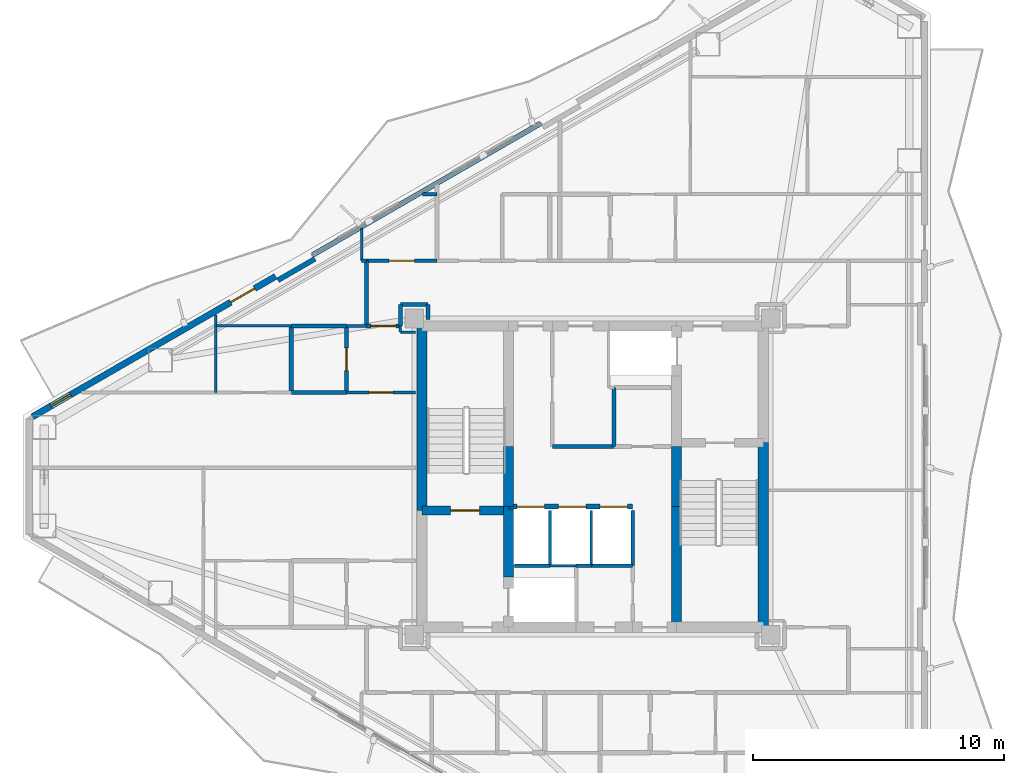
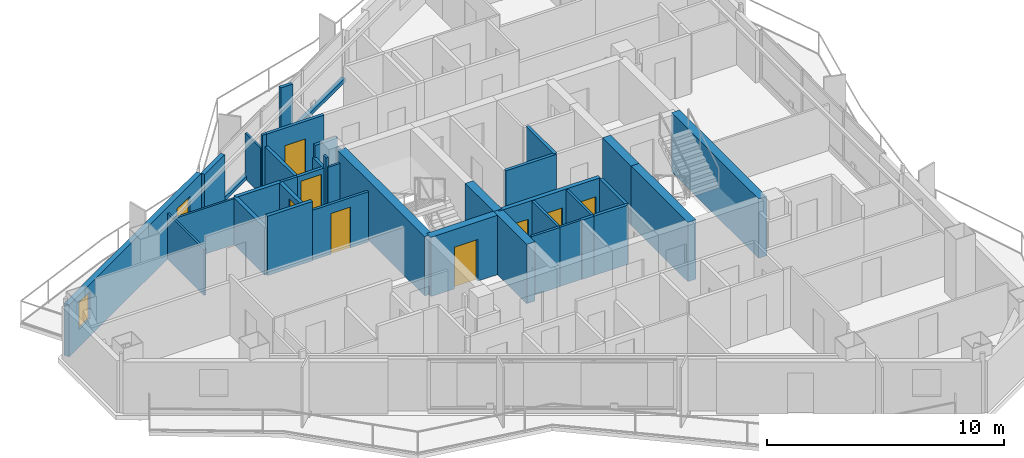
# One storey, part 14 of 19: 39 walls, 9 doors, 1 window, 10 openings.
"""IFC4 building model written with IfcOpenShell, lengths in metres."""

from ifc_helpers import new_model, si_unit, direction, frame, frame_2d, origin, place, context, subcontext, project, spatial, rectangle, extrude, material, layer, layer_set, type_object, element, fill, save


model = new_model("IFC4")

# Units and contexts
model_context = context("Model", 3, precision=1e-05, world=origin(), true_north=direction((0.0, 1.0)))
body_context = subcontext(model_context, "Body", "Model", "MODEL_VIEW")
ifc_project = project(units=[si_unit("LENGTHUNIT", "METRE"), si_unit("AREAUNIT", "SQUARE_METRE"), si_unit("VOLUMEUNIT", "CUBIC_METRE"), si_unit("PLANEANGLEUNIT", "RADIAN"), si_unit("MASSUNIT", "GRAM", prefix="KILO")], contexts=[model_context])

# Site, building, storey
site_placement = place(None, origin())
site = spatial("IfcSite", under=ifc_project, at=site_placement, CompositionType="ELEMENT")
building_placement = place(site_placement, origin())
building = spatial("IfcBuilding", under=site, at=building_placement, Name="Mersakhor Tower and Convention Hall", CompositionType="ELEMENT")
storey_placement = place(building_placement, frame((0.0, 0.0, 147.60009765625)))
storey = spatial("IfcBuildingStorey", under=building, at=storey_placement, Name="L41", CompositionType="ELEMENT", Elevation=147.60009765625)

# Wall, openings, door, window
ifc_material_1 = material(Name="Precast concrete C40/50", Category="concrete")
ifc_layer_1 = layer(ifc_material_1, 0.25)
ifc_layer_set_1 = layer_set([ifc_layer_1], Name="Precast concrete C40/50")
wall_type_1 = type_object("IfcWallType", Name="WL-EXT-250", PredefinedType="SOLIDWALL", material=ifc_layer_set_1)
wall_1_placement = place(storey_placement, frame((6.690185546875, 29.1337890625, 0.0), z_axis=(0.0, 0.0, 1.0), x_axis=(0.866027848477, 0.499995765644, 0.0)))
wall_1 = element("IfcWall", 1, at=wall_1_placement, inside=storey, type_object=wall_type_1, Name="L41 Exterior Facade Wall F1-B1", PredefinedType="SOLIDWALL", context=body_context, shape_type="SweptSolid", body=[
    extrude(rectangle(XDim=11.18603515625, YDim=0.25, at=frame_2d((5.593017578125, 0.0))), origin(), (0.0, 0.0, 1.0), 2.679931640625),
])
opening_1_placement = place(wall_1_placement, frame((9.1220703125, 0.0, 0.0)))
opening_1 = element("IfcOpeningElement", 2, at=opening_1_placement, cuts=wall_1, Name="Opening BD-02", PredefinedType="OPENING", context=body_context, shape_type="SweptSolid", body=[
    extrude(rectangle(XDim=1.10009765625, YDim=2.10009765625, at=frame_2d((0.550048828125, 1.050048828125))), frame((0.0, 0.135009765625, 0.0), z_axis=(0.0, -1.0, 0.0), x_axis=(1.0, 0.0, 0.0)), (0.0, 0.0, 1.0), 0.27001953125),
])
opening_2_placement = place(wall_1_placement, frame((0.860107421875, 0.0, 0.89990234375)))
opening_2 = element("IfcOpeningElement", 3, at=opening_2_placement, cuts=wall_1, Name="Opening W-06", PredefinedType="OPENING", context=body_context, shape_type="SweptSolid", body=[
    extrude(rectangle(XDim=0.89990234375, YDim=1.39990234375, at=frame_2d((0.449951171875, 0.699951171875))), frame((0.0, 0.135009765625, 0.0), z_axis=(0.0, -1.0, 0.0), x_axis=(1.0, 0.0, 0.0)), (0.0, 0.0, 1.0), 0.27001953125),
])
ifc_material_2 = material(Name="Thermally broken dark aluminium and safety glass", Category="aluminium")
door_type_1 = type_object("IfcDoorType", Name="DR-BAL-110x210", OperationType="NOTDEFINED", PredefinedType="DOOR", material=ifc_material_2)
door_1_placement = place(opening_1_placement, origin())
door_1 = element("IfcDoor", 4, at=door_1_placement, inside=storey, type_object=door_type_1, Name="L41 Balcony Terrace Door F1-B1", OperationType="SINGLE_SWING_RIGHT", OverallHeight=2.10009765625, OverallWidth=1.10009765625, PredefinedType="DOOR", context=body_context, shape_type="SweptSolid", body=[
    extrude(rectangle(XDim=1.10009765625, YDim=2.10009765625, at=frame_2d((0.550048828125, 1.050048828125))), frame((0.0, 0.02490234375, 0.0), z_axis=(0.0, -1.0, 0.0), x_axis=(1.0, 0.0, 0.0)), (0.0, 0.0, 1.0), 0.050048828125),
])
fill(opening_1, door_1)
ifc_material_3 = material(Name="Dark solar low-E glazed aluminium window", Category="aluminium")
window_type = type_object("IfcWindowType", Name="WN-STD-090x140", PartitioningType="SINGLE_PANEL", PredefinedType="WINDOW", material=ifc_material_3)
window_placement = place(opening_2_placement, origin())
window = element("IfcWindow", 5, at=window_placement, inside=storey, type_object=window_type, Name="L41 Bedroom Facade Window F1-B1-1", OverallHeight=1.39990234375, OverallWidth=0.89990234375, PartitioningType="SINGLE_PANEL", PredefinedType="WINDOW", context=body_context, shape_type="SweptSolid", body=[
    extrude(rectangle(XDim=0.89990234375, YDim=1.39990234375, at=frame_2d((0.449951171875, 0.699951171875))), frame((0.0, 0.030029296875, 0.0), z_axis=(0.0, -1.0, 0.0), x_axis=(1.0, 0.0, 0.0)), (0.0, 0.0, 1.0), 0.06005859375),
])
fill(opening_2, window)

# Walls
ifc_material_4 = material(Name="Precast concrete C40/50", Category="concrete")
ifc_layer_2 = layer(ifc_material_4, 0.199951171875)
ifc_layer_set_2 = layer_set([ifc_layer_2], Name="Precast concrete C40/50")
wall_type_2 = type_object("IfcWallType", Name="WL-PAR-200", PredefinedType="PARAPET", material=ifc_layer_set_2)
wall_2_placement = place(storey_placement, frame((17.849853515625, 35.57666015625, 0.0), z_axis=(0.0, 0.0, 1.0), x_axis=(0.866026619769, 0.499997893847, 0.0)))
element("IfcWall", 6, at=wall_2_placement, inside=storey, type_object=wall_type_2, Name="L41 Curtain Wall Upstand Sill F1-B2", PredefinedType="PARAPET", context=body_context, shape_type="SweptSolid", body=[
    extrude(rectangle(XDim=10.48583984375, YDim=0.199951171875, at=frame_2d((5.242919921875, 0.0))), origin(), (0.0, 0.0, 1.0), 0.199951171875),
])
wall_3_placement = place(storey_placement, frame((16.467529296875, 34.57080078125, 0.0), z_axis=(0.0, 0.0, 1.0), x_axis=(0.865989465428, 0.500062241894, 0.0)))
element("IfcWall", 7, at=wall_3_placement, inside=storey, type_object=wall_type_2, Name="L41 Column Pier Cladding Wall F1-C1", PredefinedType="PARAPET", context=body_context, shape_type="SweptSolid", body=[
    extrude(rectangle(XDim=1.699951171875, YDim=0.199951171875, at=frame_2d((0.85009765625, 0.0))), origin(), (0.0, 0.0, 1.0), 2.679931640625),
])

# Wall, opening, door
ifc_material_5 = material(Name="Moisture-resistant acoustic drywall studwork", Category="other")
ifc_layer_3 = layer(ifc_material_5, 0.175048828125)
ifc_layer_set_3 = layer_set([ifc_layer_3], Name="Moisture-resistant acoustic drywall studwork")
wall_type_3 = type_object("IfcWallType", Name="WL-PLM-175", PredefinedType="PLUMBINGWALL", material=ifc_layer_set_3)
wall_4_placement = place(storey_placement, frame((19.199951171875, 30.10009765625, 0.0), z_axis=(0.0, 0.0, 1.0), x_axis=(0.0, 1.0, 0.0)))
wall_4 = element("IfcWall", 8, at=wall_4_placement, inside=storey, type_object=wall_type_3, Name="L41 Interior Partition Wall P-060", PredefinedType="PLUMBINGWALL", context=body_context, shape_type="SweptSolid", body=[
    extrude(rectangle(XDim=2.64990234375, YDim=0.175048828125, at=frame_2d((1.324951171875, 0.0))), origin(), (0.0, 0.0, 1.0), 2.4326171875),
])
opening_3_placement = place(wall_4_placement, frame((0.875, 0.0, 0.0)))
opening_3 = element("IfcOpeningElement", 9, at=opening_3_placement, cuts=wall_4, Name="Opening WD-01", PredefinedType="OPENING", context=body_context, shape_type="SweptSolid", body=[
    extrude(rectangle(XDim=0.89990234375, YDim=2.10009765625, at=frame_2d((0.449951171875, 1.050048828125))), frame((0.0, 0.097412109375, 0.0), z_axis=(0.0, -1.0, 0.0), x_axis=(1.0, 0.0, 0.0)), (0.0, 0.0, 1.0), 0.195068359375),
])
ifc_material_6 = material(Name="Solid-core hardwood leaf in painted steel frame", Category="steel")
door_type_2 = type_object("IfcDoorType", Name="DR-INT-WET-090x210", OperationType="NOTDEFINED", PredefinedType="DOOR", material=ifc_material_6)
door_2_placement = place(opening_3_placement, origin())
door_2 = element("IfcDoor", 10, at=door_2_placement, inside=storey, type_object=door_type_2, Name="L41 L41 Flat W5 Apartment Hall to L41 Flat W5 Bathroom Door", OperationType="SINGLE_SWING_LEFT", OverallHeight=2.10009765625, OverallWidth=0.89990234375, PredefinedType="DOOR", context=body_context, shape_type="SweptSolid", body=[
    extrude(rectangle(XDim=0.89990234375, YDim=2.10009765625, at=frame_2d((0.449951171875, 1.050048828125))), frame((0.0, 0.02490234375, 0.0), z_axis=(0.0, -1.0, 0.0), x_axis=(1.0, 0.0, 0.0)), (0.0, 0.0, 1.0), 0.050048828125),
])
fill(opening_3, door_2)

# Walls
wall_5_placement = place(storey_placement, frame((17.0, 32.75, 0.0), z_axis=(0.0, 0.0, 1.0), x_axis=(1.0, 0.0, 0.0)))
element("IfcWall", 11, at=wall_5_placement, inside=storey, type_object=wall_type_3, Name="L41 Interior Partition Wall P-085", PredefinedType="PLUMBINGWALL", context=body_context, shape_type="SweptSolid", body=[
    extrude(rectangle(XDim=2.199951171875, YDim=0.175048828125, at=frame_2d((1.10009765625, 0.0))), origin(), (0.0, 0.0, 1.0), 2.4326171875),
])
wall_6_placement = place(storey_placement, frame((19.199951171875, 30.10009765625, 0.0), z_axis=(0.0, 0.0, 1.0), x_axis=(-1.0, 0.0, 0.0)))
element("IfcWall", 12, at=wall_6_placement, inside=storey, type_object=wall_type_3, Name="L41 Interior Partition Wall P-086", PredefinedType="PLUMBINGWALL", context=body_context, shape_type="SweptSolid", body=[
    extrude(rectangle(XDim=2.199951171875, YDim=0.175048828125, at=frame_2d((1.10009765625, 0.0))), origin(), (0.0, 0.0, 1.0), 3.059814453125),
])
wall_7_placement = place(storey_placement, frame((17.0, 30.10009765625, 0.0), z_axis=(0.0, 0.0, 1.0), x_axis=(0.0, 1.0, 0.0)))
element("IfcWall", 13, at=wall_7_placement, inside=storey, type_object=wall_type_3, Name="L41 Interior Partition Wall P-087", PredefinedType="PLUMBINGWALL", context=body_context, shape_type="SweptSolid", body=[
    extrude(rectangle(XDim=2.64990234375, YDim=0.175048828125, at=frame_2d((1.324951171875, 0.0))), origin(), (0.0, 0.0, 1.0), 2.4326171875),
])
ifc_material_7 = material(Name="Lightweight gypsum partition", Category="other")
ifc_layer_4 = layer(ifc_material_7, 0.10009765625)
ifc_layer_set_4 = layer_set([ifc_layer_4], Name="Lightweight gypsum partition")
wall_type_4 = type_object("IfcWallType", Name="WL-PRT-100", PredefinedType="PARTITIONING", material=ifc_layer_set_4)
wall_8_placement = place(storey_placement, frame((27.300048828125, 23.199951171875, 0.0), z_axis=(0.0, 0.0, 1.0), x_axis=(1.0, 0.0, 0.0)))
element("IfcWall", 14, at=wall_8_placement, inside=storey, type_object=wall_type_4, Name="L41 Interior Partition Wall P-002", PredefinedType="PARTITIONING", context=body_context, shape_type="SweptSolid", body=[
    extrude(rectangle(XDim=1.050048828125, YDim=0.10009765625, at=frame_2d((0.52490234375, 0.0))), origin(), (0.0, 0.0, 1.0), 3.059814453125),
])
wall_9_placement = place(storey_placement, frame((28.949951171875, 25.39990234375, 0.0), z_axis=(0.0, 0.0, 1.0), x_axis=(0.0, -1.0, 0.0)))
element("IfcWall", 15, at=wall_9_placement, inside=storey, type_object=wall_type_4, Name="L41 Interior Partition Wall P-008", PredefinedType="PARTITIONING", context=body_context, shape_type="SweptSolid", body=[
    extrude(rectangle(XDim=2.199951171875, YDim=0.10009765625, at=frame_2d((1.10009765625, 0.0))), origin(), (0.0, 0.0, 1.0), 3.059814453125),
])
wall_10_placement = place(storey_placement, frame((21.35009765625, 32.5, 0.0), z_axis=(0.0, 0.0, 1.0), x_axis=(1.0, 0.0, 0.0)))
element("IfcWall", 16, at=wall_10_placement, inside=storey, type_object=wall_type_4, Name="L41 Interior Partition Wall P-058", PredefinedType="PARTITIONING", context=body_context, shape_type="SweptSolid", body=[
    extrude(rectangle(XDim=0.599853515625, YDim=0.10009765625, at=frame_2d((0.2998046875, 0.0))), origin(), (0.0, 0.0, 1.0), 2.5849609375),
])
wall_11_placement = place(storey_placement, frame((21.35009765625, 32.75, 0.0), z_axis=(0.0, 0.0, 1.0), x_axis=(0.0, -1.0, 0.0)))
element("IfcWall", 17, at=wall_11_placement, inside=storey, type_object=wall_type_4, Name="L41 Interior Partition Wall P-062", PredefinedType="PARTITIONING", context=body_context, shape_type="SweptSolid", body=[
    extrude(rectangle(XDim=0.25, YDim=0.10009765625, at=frame_2d((0.125, 0.0))), origin(), (0.0, 0.0, 1.0), 3.059814453125),
])
wall_12_placement = place(storey_placement, frame((14.0, 32.75, 0.0), z_axis=(0.0, 0.0, 1.0), x_axis=(1.0, 0.0, 0.0)))
element("IfcWall", 18, at=wall_12_placement, inside=storey, type_object=wall_type_4, Name="L41 Interior Partition Wall P-088", PredefinedType="PARTITIONING", context=body_context, shape_type="SweptSolid", body=[
    extrude(rectangle(XDim=3.0, YDim=0.10009765625, at=frame_2d((1.5, 0.0))), origin(), (0.0, 0.0, 1.0), 2.364990234375),
])
wall_13_placement = place(storey_placement, frame((14.0, 30.10009765625, 0.0), z_axis=(0.0, 0.0, 1.0), x_axis=(0.0, 1.0, 0.0)))
element("IfcWall", 19, at=wall_13_placement, inside=storey, type_object=wall_type_4, Name="L41 Interior Partition Wall P-090", PredefinedType="PARTITIONING", context=body_context, shape_type="SweptSolid", body=[
    extrude(rectangle(XDim=3.081787109375, YDim=0.10009765625, at=frame_2d((1.541015625, 0.0))), origin(), (0.0, 0.0, 1.0), 2.364990234375),
])
wall_14_placement = place(storey_placement, frame((19.800048828125, 35.35009765625, 0.0), z_axis=(0.0, 0.0, 1.0), x_axis=(0.0, 1.0, 0.0)))
element("IfcWall", 20, at=wall_14_placement, inside=storey, type_object=wall_type_4, Name="L41 Interior Partition Wall P-112", PredefinedType="PARTITIONING", context=body_context, shape_type="SweptSolid", body=[
    extrude(rectangle(XDim=1.30859375, YDim=0.10009765625, at=frame_2d((0.654296875, 0.0))), origin(), (0.0, 0.0, 1.0), 2.364990234375),
])
ifc_material_8 = material(Name="Gypsum board acoustic partition", Category="other")
ifc_layer_5 = layer(ifc_material_8, 0.125)
ifc_layer_set_5 = layer_set([ifc_layer_5], Name="Gypsum board acoustic partition")
wall_type_5 = type_object("IfcWallType", Name="WL-PRT-125", PredefinedType="PARTITIONING", material=ifc_layer_set_5)
wall_15_placement = place(storey_placement, frame((25.89990234375, 23.199951171875, 0.0), z_axis=(0.0, 0.0, 1.0), x_axis=(1.0, 0.0, 0.0)))
element("IfcWall", 21, at=wall_15_placement, inside=storey, type_object=wall_type_5, Name="L41 Interior Partition Wall P-001", PredefinedType="PARTITIONING", context=body_context, shape_type="SweptSolid", body=[
    extrude(rectangle(XDim=1.400146484375, YDim=0.125, at=frame_2d((0.7001953125, 0.0))), origin(), (0.0, 0.0, 1.0), 3.059814453125),
])
wall_16_placement = place(storey_placement, frame((27.300048828125, 25.39990234375, 0.0), z_axis=(0.0, 0.0, 1.0), x_axis=(0.0, -1.0, 0.0)))
element("IfcWall", 22, at=wall_16_placement, inside=storey, type_object=wall_type_5, Name="L41 Interior Partition Wall P-007", PredefinedType="PARTITIONING", context=body_context, shape_type="SweptSolid", body=[
    extrude(rectangle(XDim=2.199951171875, YDim=0.125, at=frame_2d((1.10009765625, 0.0))), origin(), (0.0, 0.0, 1.0), 3.059814453125),
])

# Wall, opening, door
wall_17_placement = place(storey_placement, frame((21.949951171875, 30.10009765625, 0.0), z_axis=(0.0, 0.0, 1.0), x_axis=(-1.0, 0.0, 0.0)))
wall_17 = element("IfcWall", 23, at=wall_17_placement, inside=storey, type_object=wall_type_5, Name="L41 Interior Partition Wall P-059", PredefinedType="PARTITIONING", context=body_context, shape_type="SweptSolid", body=[
    extrude(rectangle(XDim=2.75, YDim=0.125, at=frame_2d((1.375, 0.0))), origin(), (0.0, 0.0, 1.0), 2.5849609375),
])
opening_4_placement = place(wall_17_placement, frame((0.89990234375, 0.0, 0.0)))
opening_4 = element("IfcOpeningElement", 24, at=opening_4_placement, cuts=wall_17, Name="Opening RD-01", PredefinedType="OPENING", context=body_context, shape_type="SweptSolid", body=[
    extrude(rectangle(XDim=0.949951171875, YDim=2.10009765625, at=frame_2d((0.47509765625, 1.050048828125))), frame((0.0, 0.072509765625, 0.0), z_axis=(0.0, -1.0, 0.0), x_axis=(1.0, 0.0, 0.0)), (0.0, 0.0, 1.0), 0.14501953125),
])
ifc_material_9 = material(Name="Solid-core hardwood leaf in painted steel frame", Category="steel")
door_type_3 = type_object("IfcDoorType", Name="DR-INT-RM-095x210", OperationType="NOTDEFINED", PredefinedType="DOOR", material=ifc_material_9)
door_3_placement = place(opening_4_placement, origin())
door_3 = element("IfcDoor", 25, at=door_3_placement, inside=storey, type_object=door_type_3, Name="L41 L41 Flat W5 Apartment Hall to L41 Flat W5 Studio Living and Sleeping Room Door", OperationType="SINGLE_SWING_RIGHT", OverallHeight=2.10009765625, OverallWidth=0.949951171875, PredefinedType="DOOR", context=body_context, shape_type="SweptSolid", body=[
    extrude(rectangle(XDim=0.949951171875, YDim=2.10009765625, at=frame_2d((0.47509765625, 1.050048828125))), frame((0.0, 0.02490234375, 0.0), z_axis=(0.0, -1.0, 0.0), x_axis=(1.0, 0.0, 0.0)), (0.0, 0.0, 1.0), 0.050048828125),
])
fill(opening_4, door_3)

# Walls
wall_18_placement = place(storey_placement, frame((19.199951171875, 32.75, 0.0), z_axis=(0.0, 0.0, 1.0), x_axis=(1.0, 0.0, 0.0)))
element("IfcWall", 26, at=wall_18_placement, inside=storey, type_object=wall_type_5, Name="L41 Interior Partition Wall P-061", PredefinedType="PARTITIONING", context=body_context, shape_type="SweptSolid", body=[
    extrude(rectangle(XDim=0.800048828125, YDim=0.125, at=frame_2d((0.39990234375, 0.0))), origin(), (0.0, 0.0, 1.0), 2.4326171875),
])
wall_19_placement = place(storey_placement, frame((20.0, 35.35009765625, 0.0), z_axis=(0.0, 0.0, 1.0), x_axis=(-1.0, 0.0, 0.0)))
element("IfcWall", 27, at=wall_19_placement, inside=storey, type_object=wall_type_5, Name="L41 Interior Partition Wall P-111", PredefinedType="PARTITIONING", context=body_context, shape_type="SweptSolid", body=[
    extrude(rectangle(XDim=0.199951171875, YDim=0.125, at=frame_2d((0.10009765625, 0.0))), origin(), (0.0, 0.0, 1.0), 3.059814453125),
])
ifc_material_10 = material(Name="Fire-rated gypsum board stud partition", Category="other")
ifc_layer_6 = layer(ifc_material_10, 0.14990234375)
ifc_layer_set_6 = layer_set([ifc_layer_6], Name="Fire-rated gypsum board stud partition")
wall_type_6 = type_object("IfcWallType", Name="WL-PRT-150", PredefinedType="PARTITIONING", material=ifc_layer_set_6)
wall_20_placement = place(storey_placement, frame((28.949951171875, 23.199951171875, 0.0), z_axis=(0.0, 0.0, 1.0), x_axis=(-1.0, 0.0, 0.0)))
element("IfcWall", 28, at=wall_20_placement, inside=storey, type_object=wall_type_6, Name="L41 Interior Partition Wall P-009", PredefinedType="PARTITIONING", context=body_context, shape_type="SweptSolid", body=[
    extrude(rectangle(XDim=0.599853515625, YDim=0.14990234375, at=frame_2d((0.2998046875, 0.0))), origin(), (0.0, 0.0, 1.0), 3.059814453125),
])
wall_21_placement = place(storey_placement, frame((30.60009765625, 25.39990234375, 0.0), z_axis=(0.0, 0.0, 1.0), x_axis=(0.0, -1.0, 0.0)))
element("IfcWall", 29, at=wall_21_placement, inside=storey, type_object=wall_type_6, Name="L41 Interior Partition Wall P-010", PredefinedType="PARTITIONING", context=body_context, shape_type="SweptSolid", body=[
    extrude(rectangle(XDim=2.199951171875, YDim=0.14990234375, at=frame_2d((1.10009765625, 0.0))), origin(), (0.0, 0.0, 1.0), 3.059814453125),
])
wall_22_placement = place(storey_placement, frame((30.60009765625, 23.199951171875, 0.0), z_axis=(0.0, 0.0, 1.0), x_axis=(-1.0, 0.0, 0.0)))
element("IfcWall", 30, at=wall_22_placement, inside=storey, type_object=wall_type_6, Name="L41 Interior Partition Wall P-011", PredefinedType="PARTITIONING", context=body_context, shape_type="SweptSolid", body=[
    extrude(rectangle(XDim=1.650146484375, YDim=0.14990234375, at=frame_2d((0.8251953125, 0.0))), origin(), (0.0, 0.0, 1.0), 3.059814453125),
])
wall_23_placement = place(storey_placement, frame((27.39990234375, 27.949951171875, 0.0), z_axis=(0.0, 0.0, 1.0), x_axis=(1.0, 0.0, 0.0)))
element("IfcWall", 31, at=wall_23_placement, inside=storey, type_object=wall_type_6, Name="L41 Interior Partition Wall P-014", PredefinedType="PARTITIONING", context=body_context, shape_type="SweptSolid", body=[
    extrude(rectangle(XDim=2.4501953125, YDim=0.14990234375, at=frame_2d((1.22509765625, 0.0))), origin(), (0.0, 0.0, 1.0), 3.059814453125),
])
wall_24_placement = place(storey_placement, frame((22.449951171875, 33.0, 0.0), z_axis=(0.0, 0.0, 1.0), x_axis=(0.0, 1.0, 0.0)))
element("IfcWall", 32, at=wall_24_placement, inside=storey, type_object=wall_type_6, Name="L41 Interior Partition Wall P-017", PredefinedType="PARTITIONING", context=body_context, shape_type="SweptSolid", body=[
    extrude(rectangle(XDim=0.60009765625, YDim=0.14990234375, at=frame_2d((0.300048828125, 0.0))), origin(), (0.0, 0.0, 1.0), 2.5849609375),
])
wall_25_placement = place(storey_placement, frame((22.449951171875, 33.60009765625, 0.0), z_axis=(0.0, 0.0, 1.0), x_axis=(-1.0, 0.0, 0.0)))
element("IfcWall", 33, at=wall_25_placement, inside=storey, type_object=wall_type_6, Name="L41 Interior Partition Wall P-018", PredefinedType="PARTITIONING", context=body_context, shape_type="SweptSolid", body=[
    extrude(rectangle(XDim=1.099853515625, YDim=0.14990234375, at=frame_2d((0.5498046875, 0.0))), origin(), (0.0, 0.0, 1.0), 3.059814453125),
])
wall_26_placement = place(storey_placement, frame((21.35009765625, 33.60009765625, 0.0), z_axis=(0.0, 0.0, 1.0), x_axis=(0.0, -1.0, 0.0)))
element("IfcWall", 34, at=wall_26_placement, inside=storey, type_object=wall_type_6, Name="L41 Interior Partition Wall P-019", PredefinedType="PARTITIONING", context=body_context, shape_type="SweptSolid", body=[
    extrude(rectangle(XDim=0.85009765625, YDim=0.14990234375, at=frame_2d((0.425048828125, 0.0))), origin(), (0.0, 0.0, 1.0), 2.4326171875),
])

# Wall, opening, door
wall_27_placement = place(storey_placement, frame((21.35009765625, 32.75, 0.0), z_axis=(0.0, 0.0, 1.0), x_axis=(-1.0, 0.0, 0.0)))
wall_27 = element("IfcWall", 35, at=wall_27_placement, inside=storey, type_object=wall_type_6, Name="L41 Interior Partition Wall P-020", PredefinedType="PARTITIONING", context=body_context, shape_type="SweptSolid", body=[
    extrude(rectangle(XDim=1.35009765625, YDim=0.14990234375, at=frame_2d((0.675048828125, 0.0))), origin(), (0.0, 0.0, 1.0), 2.4326171875),
])
opening_5_placement = place(wall_27_placement, frame((0.175048828125, 0.0, 0.0)))
opening_5 = element("IfcOpeningElement", 36, at=opening_5_placement, cuts=wall_27, Name="Opening FD-01", PredefinedType="OPENING", context=body_context, shape_type="SweptSolid", body=[
    extrude(rectangle(XDim=1.0, YDim=2.14990234375, at=frame_2d((0.5, 1.074951171875))), frame((0.0, 0.0849609375, 0.0), z_axis=(0.0, -1.0, 0.0), x_axis=(1.0, 0.0, 0.0)), (0.0, 0.0, 1.0), 0.169921875),
])
ifc_material_11 = material(Name="Fire-rated hardwood leaf and painted steel frame", Category="steel")
door_type_4 = type_object("IfcDoorType", Name="DR-INT-FLT-100x215", OperationType="NOTDEFINED", PredefinedType="DOOR", material=ifc_material_11)
door_4_placement = place(opening_5_placement, origin())
door_4 = element("IfcDoor", 37, at=door_4_placement, inside=storey, type_object=door_type_4, Name="L41 Apartment Entrance Door (Residential North Gallery Corridor to L41 Flat W5 Apartment Hall)", OperationType="SINGLE_SWING_RIGHT", OverallHeight=2.14990234375, OverallWidth=1.0, PredefinedType="DOOR", context=body_context, shape_type="SweptSolid", body=[
    extrude(rectangle(XDim=1.0, YDim=2.14990234375, at=frame_2d((0.5, 1.074951171875))), frame((0.0, 0.02490234375, 0.0), z_axis=(0.0, -1.0, 0.0), x_axis=(1.0, 0.0, 0.0)), (0.0, 0.0, 1.0), 0.050048828125),
])
fill(opening_5, door_4)

# Wall
wall_28_placement = place(storey_placement, frame((20.0, 32.75, 0.0), z_axis=(0.0, 0.0, 1.0), x_axis=(0.0, 1.0, 0.0)))
element("IfcWall", 38, at=wall_28_placement, inside=storey, type_object=wall_type_6, Name="L41 Interior Partition Wall P-021", PredefinedType="PARTITIONING", context=body_context, shape_type="SweptSolid", body=[
    extrude(rectangle(XDim=2.60009765625, YDim=0.14990234375, at=frame_2d((1.300048828125, 0.0))), origin(), (0.0, 0.0, 1.0), 2.4326171875),
])

# Wall, opening, door
wall_29_placement = place(storey_placement, frame((20.0, 35.35009765625, 0.0), z_axis=(0.0, 0.0, 1.0), x_axis=(1.0, 0.0, 0.0)))
wall_29 = element("IfcWall", 39, at=wall_29_placement, inside=storey, type_object=wall_type_6, Name="L41 Interior Partition Wall P-022", PredefinedType="PARTITIONING", context=body_context, shape_type="SweptSolid", body=[
    extrude(rectangle(XDim=2.800048828125, YDim=0.14990234375, at=frame_2d((1.39990234375, 0.0))), origin(), (0.0, 0.0, 1.0), 3.059814453125),
])
opening_6_placement = place(wall_29_placement, frame((0.89990234375, 0.0, 0.0)))
opening_6 = element("IfcOpeningElement", 40, at=opening_6_placement, cuts=wall_29, Name="Opening FD-01", PredefinedType="OPENING", context=body_context, shape_type="SweptSolid", body=[
    extrude(rectangle(XDim=1.0, YDim=2.14990234375, at=frame_2d((0.5, 1.074951171875))), frame((0.0, 0.0849609375, 0.0), z_axis=(0.0, -1.0, 0.0), x_axis=(1.0, 0.0, 0.0)), (0.0, 0.0, 1.0), 0.169921875),
])
door_5_placement = place(opening_6_placement, origin())
door_5 = element("IfcDoor", 41, at=door_5_placement, inside=storey, type_object=door_type_4, Name="L41 Residential North Gallery Corridor to L41 Floor Shared Tea Pantry 1-3 Door", OperationType="SINGLE_SWING_LEFT", OverallHeight=2.14990234375, OverallWidth=1.0, PredefinedType="DOOR", context=body_context, shape_type="SweptSolid", body=[
    extrude(rectangle(XDim=1.0, YDim=2.14990234375, at=frame_2d((0.5, 1.074951171875))), frame((0.0, 0.02490234375, 0.0), z_axis=(0.0, -1.0, 0.0), x_axis=(1.0, 0.0, 0.0)), (0.0, 0.0, 1.0), 0.050048828125),
])
fill(opening_6, door_5)

# Walls
wall_30_placement = place(storey_placement, frame((29.85009765625, 30.300048828125, 0.0), z_axis=(0.0, 0.0, 1.0), x_axis=(0.0, -1.0, 0.0)))
element("IfcWall", 42, at=wall_30_placement, inside=storey, type_object=wall_type_6, Name="L41 Interior Partition Wall P-097", PredefinedType="PARTITIONING", context=body_context, shape_type="SweptSolid", body=[
    extrude(rectangle(XDim=2.35009765625, YDim=0.14990234375, at=frame_2d((1.175048828125, 0.0))), origin(), (0.0, 0.0, 1.0), 3.059814453125),
])
wall_31_placement = place(storey_placement, frame((22.800048828125, 38.0, 0.0), z_axis=(0.0, 0.0, 1.0), x_axis=(-1.0, 0.0, 0.0)))
element("IfcWall", 43, at=wall_31_placement, inside=storey, type_object=wall_type_6, Name="L41 Interior Partition Wall P-110", PredefinedType="PARTITIONING", context=body_context, shape_type="SweptSolid", body=[
    extrude(rectangle(XDim=0.578857421875, YDim=0.14990234375, at=frame_2d((0.28955078125, 0.0))), origin(), (0.0, 0.0, 1.0), 3.059814453125),
])

# Wall, openings, doors
ifc_material_12 = material(Name="Acoustic concrete blockwork and gypsum board", Category="masonry")
ifc_layer_7 = layer(ifc_material_12, 0.199951171875)
ifc_layer_set_7 = layer_set([ifc_layer_7], Name="Acoustic concrete blockwork and gypsum board")
wall_type_7 = type_object("IfcWallType", Name="WL-PRT-200", PredefinedType="PARTITIONING", material=ifc_layer_set_7)
wall_32_placement = place(storey_placement, frame((25.64990234375, 25.550048828125, 0.0), z_axis=(0.0, 0.0, 1.0), x_axis=(1.0, 0.0, 0.0)))
wall_32 = element("IfcWall", 44, at=wall_32_placement, inside=storey, type_object=wall_type_7, Name="L41 High-Rise Lift Bank Front Wall", PredefinedType="PARTITIONING", context=body_context, shape_type="SweptSolid", body=[
    extrude(rectangle(XDim=4.9501953125, YDim=0.199951171875, at=frame_2d((2.47509765625, 0.0))), origin(), (0.0, 0.0, 1.0), 3.059814453125),
])
opening_7_placement = place(wall_32_placement, frame((0.340087890625, 0.0, 0.0)))
opening_7 = element("IfcOpeningElement", 45, at=opening_7_placement, cuts=wall_32, Name="Opening LD-P4", PredefinedType="OPENING", context=body_context, shape_type="SweptSolid", body=[
    extrude(rectangle(XDim=1.10009765625, YDim=2.14990234375, at=frame_2d((0.550048828125, 1.074951171875))), frame((0.0, 0.10986328125, 0.0), z_axis=(0.0, -1.0, 0.0), x_axis=(1.0, 0.0, 0.0)), (0.0, 0.0, 1.0), 0.219970703125),
])
opening_8_placement = place(wall_32_placement, frame((1.989990234375, 0.0, 0.0)))
opening_8 = element("IfcOpeningElement", 46, at=opening_8_placement, cuts=wall_32, Name="Opening LD-P5", PredefinedType="OPENING", context=body_context, shape_type="SweptSolid", body=[
    extrude(rectangle(XDim=1.10009765625, YDim=2.14990234375, at=frame_2d((0.550048828125, 1.074951171875))), frame((0.0, 0.10986328125, 0.0), z_axis=(0.0, -1.0, 0.0), x_axis=(1.0, 0.0, 0.0)), (0.0, 0.0, 1.0), 0.219970703125),
])
opening_9_placement = place(wall_32_placement, frame((3.639892578125, 0.0, 0.0)))
opening_9 = element("IfcOpeningElement", 47, at=opening_9_placement, cuts=wall_32, Name="Opening LD-P6", PredefinedType="OPENING", context=body_context, shape_type="SweptSolid", body=[
    extrude(rectangle(XDim=1.10009765625, YDim=2.14990234375, at=frame_2d((0.550048828125, 1.074951171875))), frame((0.0, 0.10986328125, 0.0), z_axis=(0.0, -1.0, 0.0), x_axis=(1.0, 0.0, 0.0)), (0.0, 0.0, 1.0), 0.219970703125),
])
ifc_material_13 = material(Name="Fire-rated brushed stainless steel sliding landing door", Category="steel")
door_type_5 = type_object("IfcDoorType", Name="DR-LIFT-SLD-110x215", OperationType="NOTDEFINED", PredefinedType="DOOR", material=ifc_material_13)
door_6_placement = place(opening_7_placement, origin())
door_6 = element("IfcDoor", 48, at=door_6_placement, inside=storey, type_object=door_type_5, Name="L41 Lift Landing Door LD-P4", OperationType="SLIDING_TO_LEFT", OverallHeight=2.14990234375, OverallWidth=1.10009765625, PredefinedType="DOOR", context=body_context, shape_type="SweptSolid", body=[
    extrude(rectangle(XDim=1.10009765625, YDim=2.14990234375, at=frame_2d((0.550048828125, 1.074951171875))), frame((0.0, 0.02490234375, 0.0), z_axis=(0.0, -1.0, 0.0), x_axis=(1.0, 0.0, 0.0)), (0.0, 0.0, 1.0), 0.050048828125),
])
fill(opening_7, door_6)
door_7_placement = place(opening_8_placement, origin())
door_7 = element("IfcDoor", 49, at=door_7_placement, inside=storey, type_object=door_type_5, Name="L41 Lift Landing Door LD-P5", OperationType="SLIDING_TO_LEFT", OverallHeight=2.14990234375, OverallWidth=1.10009765625, PredefinedType="DOOR", context=body_context, shape_type="SweptSolid", body=[
    extrude(rectangle(XDim=1.10009765625, YDim=2.14990234375, at=frame_2d((0.550048828125, 1.074951171875))), frame((0.0, 0.02490234375, 0.0), z_axis=(0.0, -1.0, 0.0), x_axis=(1.0, 0.0, 0.0)), (0.0, 0.0, 1.0), 0.050048828125),
])
fill(opening_8, door_7)
door_8_placement = place(opening_9_placement, origin())
door_8 = element("IfcDoor", 50, at=door_8_placement, inside=storey, type_object=door_type_5, Name="L41 Lift Landing Door LD-P6", OperationType="SLIDING_TO_LEFT", OverallHeight=2.14990234375, OverallWidth=1.10009765625, PredefinedType="DOOR", context=body_context, shape_type="SweptSolid", body=[
    extrude(rectangle(XDim=1.10009765625, YDim=2.14990234375, at=frame_2d((0.550048828125, 1.074951171875))), frame((0.0, 0.02490234375, 0.0), z_axis=(0.0, -1.0, 0.0), x_axis=(1.0, 0.0, 0.0)), (0.0, 0.0, 1.0), 0.050048828125),
])
fill(opening_9, door_8)

# Wall, opening, door
ifc_material_14 = material(Name="Concrete C50/60", Category="concrete")
ifc_layer_8 = layer(ifc_material_14, 0.35009765625)
ifc_layer_set_8 = layer_set([ifc_layer_8], Name="Concrete C50/60")
wall_type_8 = type_object("IfcWallType", Name="WL-SHR-350", PredefinedType="SHEAR", material=ifc_layer_set_8)
wall_33_placement = place(storey_placement, frame((22.199951171875, 25.39990234375, 0.0), z_axis=(0.0, 0.0, 1.0), x_axis=(1.0, 0.0, 0.0)))
wall_33 = element("IfcWall", 51, at=wall_33_placement, inside=storey, type_object=wall_type_8, Name="L41 Core Wall CS-ST1-S", PredefinedType="SHEAR", context=body_context, shape_type="SweptSolid", body=[
    extrude(rectangle(XDim=3.449951171875, YDim=0.35009765625, at=frame_2d((1.72509765625, 0.0))), origin(), (0.0, 0.0, 1.0), 3.059814453125),
])
opening_10_placement = place(wall_33_placement, frame((1.14990234375, 0.0, 0.0)))
opening_10 = element("IfcOpeningElement", 52, at=opening_10_placement, cuts=wall_33, Name="Opening SD-01", PredefinedType="OPENING", context=body_context, shape_type="SweptSolid", body=[
    extrude(rectangle(XDim=1.14990234375, YDim=2.14990234375, at=frame_2d((0.574951171875, 1.074951171875))), frame((0.0, 0.18505859375, 0.0), z_axis=(0.0, -1.0, 0.0), x_axis=(1.0, 0.0, 0.0)), (0.0, 0.0, 1.0), 0.3701171875),
])
ifc_material_15 = material(Name="Fire-rated hardwood leaf and painted steel frame", Category="steel")
door_type_6 = type_object("IfcDoorType", Name="DR-INT-STAIR-115x215", OperationType="NOTDEFINED", PredefinedType="DOOR", material=ifc_material_15)
door_9_placement = place(opening_10_placement, origin())
door_9 = element("IfcDoor", 53, at=door_9_placement, inside=storey, type_object=door_type_6, Name="L41 Exit Stair ST-1 Enclosure Door", OperationType="SINGLE_SWING_LEFT", OverallHeight=2.14990234375, OverallWidth=1.14990234375, PredefinedType="DOOR", context=body_context, shape_type="SweptSolid", body=[
    extrude(rectangle(XDim=1.14990234375, YDim=2.14990234375, at=frame_2d((0.574951171875, 1.074951171875))), frame((0.0, 0.02490234375, 0.0), z_axis=(0.0, -1.0, 0.0), x_axis=(1.0, 0.0, 0.0)), (0.0, 0.0, 1.0), 0.050048828125),
])
fill(opening_10, door_9)

# Walls
ifc_material_16 = material(Name="Concrete C60/75", Category="concrete")
ifc_layer_9 = layer(ifc_material_16, 0.39990234375)
ifc_layer_set_9 = layer_set([ifc_layer_9], Name="Concrete C60/75")
wall_type_9 = type_object("IfcWallType", Name="WL-SHR-400", PredefinedType="SHEAR", material=ifc_layer_set_9)
for number, where, z_axis, x_axis, name in (
    (54, (22.199951171875, 25.39990234375, 0.0), (0.0, 0.0, 1.0), (0.0, 1.0, 0.0), "L41 Core Wall CW-W2"),
    (55, (35.800048828125, 28.10009765625, 0.0), (0.0, 0.0, 1.0), (0.0, -1.0, 0.0), "L41 Core Wall CW-E2"),
):
    element("IfcWall", number, at=place(storey_placement, frame(where, z_axis=z_axis, x_axis=x_axis)), inside=storey, type_object=wall_type_9, Name=name, PredefinedType="SHEAR", context=body_context, shape_type="SweptSolid", body=[
        extrude(rectangle(XDim=7.35009765625, YDim=0.39990234375, at=frame_2d((3.675048828125, 0.0))), origin(), (0.0, 0.0, 1.0), 3.059814453125),
    ])
wall_34_placement = place(storey_placement, frame((25.64990234375, 22.75, 0.0), z_axis=(0.0, 0.0, 1.0), x_axis=(0.0, 1.0, 0.0)))
element("IfcWall", 56, at=wall_34_placement, inside=storey, type_object=wall_type_9, Name="L41 Core Wall CS-W-MID", PredefinedType="SHEAR", context=body_context, shape_type="SweptSolid", body=[
    extrude(rectangle(XDim=2.800048828125, YDim=0.39990234375, at=frame_2d((1.39990234375, 0.0))), origin(), (0.0, 0.0, 1.0), 3.059814453125),
])
wall_35_placement = place(storey_placement, frame((25.64990234375, 25.550048828125, 0.0), z_axis=(0.0, 0.0, 1.0), x_axis=(0.0, 1.0, 0.0)))
element("IfcWall", 57, at=wall_35_placement, inside=storey, type_object=wall_type_9, Name="L41 Core Wall CS-W-LOB", PredefinedType="SHEAR", context=body_context, shape_type="SweptSolid", body=[
    extrude(rectangle(XDim=2.39990234375, YDim=0.39990234375, at=frame_2d((1.199951171875, 0.0))), origin(), (0.0, 0.0, 1.0), 3.059814453125),
])
wall_36_placement = place(storey_placement, frame((32.35009765625, 20.75, 0.0), z_axis=(0.0, 0.0, 1.0), x_axis=(0.0, 1.0, 0.0)))
element("IfcWall", 58, at=wall_36_placement, inside=storey, type_object=wall_type_9, Name="L41 Core Wall CS-E-ST2", PredefinedType="SHEAR", context=body_context, shape_type="SweptSolid", body=[
    extrude(rectangle(XDim=4.800048828125, YDim=0.39990234375, at=frame_2d((2.39990234375, 0.0))), origin(), (0.0, 0.0, 1.0), 3.059814453125),
])
wall_37_placement = place(storey_placement, frame((32.35009765625, 25.550048828125, 0.0), z_axis=(0.0, 0.0, 1.0), x_axis=(0.0, 1.0, 0.0)))
element("IfcWall", 59, at=wall_37_placement, inside=storey, type_object=wall_type_9, Name="L41 Core Wall CS-E-LOB", PredefinedType="SHEAR", context=body_context, shape_type="SweptSolid", body=[
    extrude(rectangle(XDim=2.39990234375, YDim=0.39990234375, at=frame_2d((1.199951171875, 0.0))), origin(), (0.0, 0.0, 1.0), 3.059814453125),
])

save(model, "model.ifc")
